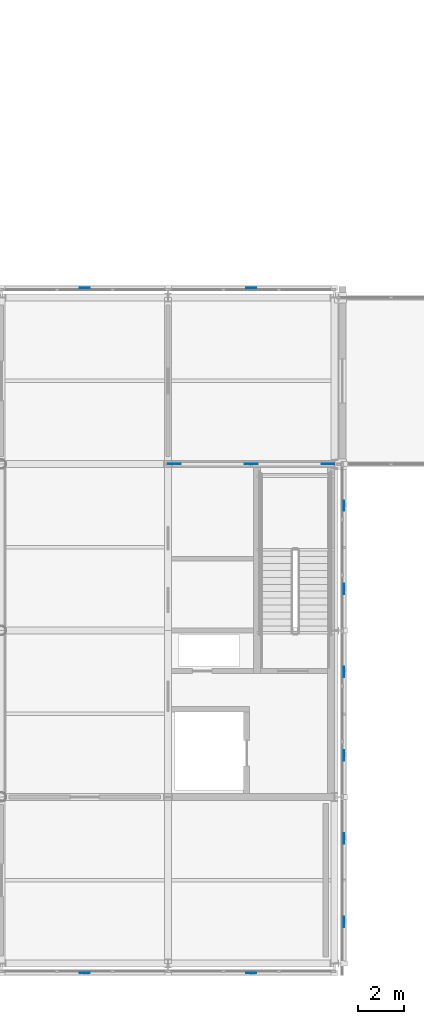
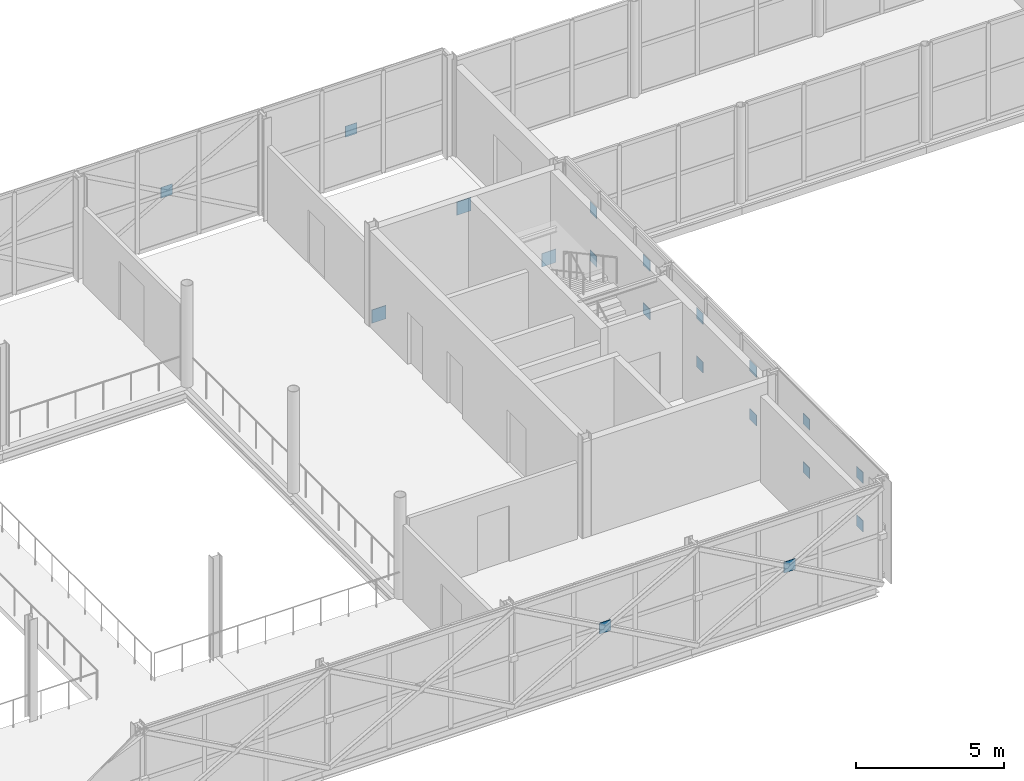
# One storey, part 89 of 126: 19 plates.
"""IFC4 building model written with IfcOpenShell, lengths in metres."""

from ifc_helpers import new_model, si_unit, direction, frame, origin, origin_2d, place, context, subcontext, project, spatial, rectangle, extrude, material, layer, layer_set, type_object, element, save


model = new_model("IFC4")

# Units and contexts
model_context = context("Model", 3, precision=1e-05, world=origin(), true_north=direction((0.0, 1.0)))
body_context = subcontext(model_context, "Body", "Model", "MODEL_VIEW")
ifc_project = project(units=[si_unit("LENGTHUNIT", "METRE"), si_unit("AREAUNIT", "SQUARE_METRE"), si_unit("VOLUMEUNIT", "CUBIC_METRE"), si_unit("PLANEANGLEUNIT", "RADIAN"), si_unit("MASSUNIT", "GRAM", prefix="KILO")], contexts=[model_context])

# Site, building, storey
site_placement = place(None, origin())
site = spatial("IfcSite", under=ifc_project, at=site_placement, CompositionType="ELEMENT")
building_placement = place(site_placement, origin())
building = spatial("IfcBuilding", under=site, at=building_placement, Name="Zlatovets Crest Museum", CompositionType="ELEMENT")
storey_placement = place(building_placement, frame((0.0, 0.0, 8.699951171875)))
storey = spatial("IfcBuildingStorey", under=building, at=storey_placement, Name="L02", CompositionType="ELEMENT", Elevation=8.699951171875)

# Plates
ifc_material = material(Name="Structural steel S355J2", Category="steel")
ifc_layer_1 = layer(ifc_material, 0.02490234375)
ifc_layer_set_1 = layer_set([ifc_layer_1], Name="Structural steel S355J2")
plate_type_1 = type_object("IfcPlateType", Name="Gusset_GP-01", PredefinedType="USERDEFINED", material=ifc_layer_set_1)
for number, where, z_axis, x_axis, name in (
    (1, (101.080078125, 21.60009765625, 0.0048828125), (0.0, 0.0, 1.0), (1.0, 0.0, 0.0), "V2 L02 Brace End Gusset Plate GP-01"),
    (2, (107.719970703125, 21.60009765625, 0.0048828125), (0.0, 0.0, 1.0), (1.0, 0.0, 0.0), "V2 L02 Brace End Gusset Plate GP-01"),
    (3, (104.39990234375, 21.60009765625, 3.294921875), (0.0, 0.0, 1.0), (1.0, 0.0, 0.0), "V2 L02 Brace End Gusset Plate GP-01"),
):
    element("IfcPlate", number, at=place(storey_placement, frame(where, z_axis=z_axis, x_axis=x_axis)), inside=storey, type_object=plate_type_1, Name=name, ObjectType="GUSSET", PredefinedType="USERDEFINED", context=body_context, shape_type="SweptSolid", body=[
        extrude(rectangle(XDim=0.550048828125, YDim=0.02490234375, at=origin_2d()), origin(), (0.0, 0.0, 1.0), 0.550048828125),
    ])
ifc_layer_2 = layer(ifc_material, 0.02001953125)
ifc_layer_set_2 = layer_set([ifc_layer_2], Name="Structural steel S355J2")
plate_type_2 = type_object("IfcPlateType", Name="Gusset_GP-04", PredefinedType="USERDEFINED", material=ifc_layer_set_2)
for number, where, z_axis, x_axis, name in (
    (4, (97.199951171875, -0.419921875, 1.875), (0.0, 0.0, 1.0), (1.0, 0.0, 0.0), "X-Brace Crossing Node Gusset Plate GP-04"),
    (5, (104.39990234375, -0.419921875, 1.875), (0.0, 0.0, 1.0), (1.0, 0.0, 0.0), "X-Brace Crossing Node Gusset Plate GP-04"),
):
    element("IfcPlate", number, at=place(storey_placement, frame(where, z_axis=z_axis, x_axis=x_axis)), inside=storey, type_object=plate_type_2, Name=name, ObjectType="GUSSET", PredefinedType="USERDEFINED", context=body_context, shape_type="SweptSolid", body=[
        extrude(rectangle(XDim=0.449951171875, YDim=0.02001953125, at=origin_2d()), origin(), (0.0, 0.0, 1.0), 0.449951171875),
    ])
for number, where, z_axis, x_axis, name in (
    (6, (108.419921875, 1.800048828125, 0.875), (0.0, 0.0, 1.0), (1.0, 0.0, 0.0), "X-Brace Crossing Node Gusset Plate GP-04"),
    (7, (108.419921875, 5.39990234375, 0.875), (0.0, 0.0, 1.0), (1.0, 0.0, 0.0), "X-Brace Crossing Node Gusset Plate GP-04"),
    (8, (108.419921875, 1.800048828125, 2.875), (0.0, 0.0, 1.0), (1.0, 0.0, 0.0), "X-Brace Crossing Node Gusset Plate GP-04"),
    (9, (108.419921875, 5.39990234375, 2.875), (0.0, 0.0, 1.0), (1.0, 0.0, 0.0), "X-Brace Crossing Node Gusset Plate GP-04"),
    (10, (108.419921875, 9.0, 0.875), (0.0, 0.0, 1.0), (1.0, 0.0, 0.0), "X-Brace Crossing Node Gusset Plate GP-04"),
    (11, (108.419921875, 12.60009765625, 0.875), (0.0, 0.0, 1.0), (1.0, 0.0, 0.0), "X-Brace Crossing Node Gusset Plate GP-04"),
    (12, (108.419921875, 9.0, 2.875), (0.0, 0.0, 1.0), (1.0, 0.0, 0.0), "X-Brace Crossing Node Gusset Plate GP-04"),
    (13, (108.419921875, 12.60009765625, 2.875), (0.0, 0.0, 1.0), (1.0, 0.0, 0.0), "X-Brace Crossing Node Gusset Plate GP-04"),
    (14, (108.419921875, 16.199951171875, 0.875), (0.0, 0.0, 1.0), (1.0, 0.0, 0.0), "X-Brace Crossing Node Gusset Plate GP-04"),
    (15, (108.419921875, 19.800048828125, 0.875), (0.0, 0.0, 1.0), (1.0, 0.0, 0.0), "X-Brace Crossing Node Gusset Plate GP-04"),
    (16, (108.419921875, 16.199951171875, 2.875), (0.0, 0.0, 1.0), (1.0, 0.0, 0.0), "X-Brace Crossing Node Gusset Plate GP-04"),
    (17, (108.419921875, 19.800048828125, 2.875), (0.0, 0.0, 1.0), (1.0, 0.0, 0.0), "X-Brace Crossing Node Gusset Plate GP-04"),
):
    element("IfcPlate", number, at=place(storey_placement, frame(where, z_axis=z_axis, x_axis=x_axis)), inside=storey, type_object=plate_type_2, Name=name, ObjectType="GUSSET", PredefinedType="USERDEFINED", context=body_context, shape_type="SweptSolid", body=[
        extrude(rectangle(XDim=0.02001953125, YDim=0.449951171875, at=origin_2d()), origin(), (0.0, 0.0, 1.0), 0.449951171875),
    ])
for number, where, z_axis, x_axis, name in (
    (18, (104.39990234375, 29.219970703125, 1.875), (0.0, 0.0, 1.0), (1.0, 0.0, 0.0), "X-Brace Crossing Node Gusset Plate GP-04"),
    (19, (97.199951171875, 29.219970703125, 1.875), (0.0, 0.0, 1.0), (1.0, 0.0, 0.0), "X-Brace Crossing Node Gusset Plate GP-04"),
):
    element("IfcPlate", number, at=place(storey_placement, frame(where, z_axis=z_axis, x_axis=x_axis)), inside=storey, type_object=plate_type_2, Name=name, ObjectType="GUSSET", PredefinedType="USERDEFINED", context=body_context, shape_type="SweptSolid", body=[
        extrude(rectangle(XDim=0.449951171875, YDim=0.02001953125, at=origin_2d()), origin(), (0.0, 0.0, 1.0), 0.449951171875),
    ])

save(model, "model.ifc")
